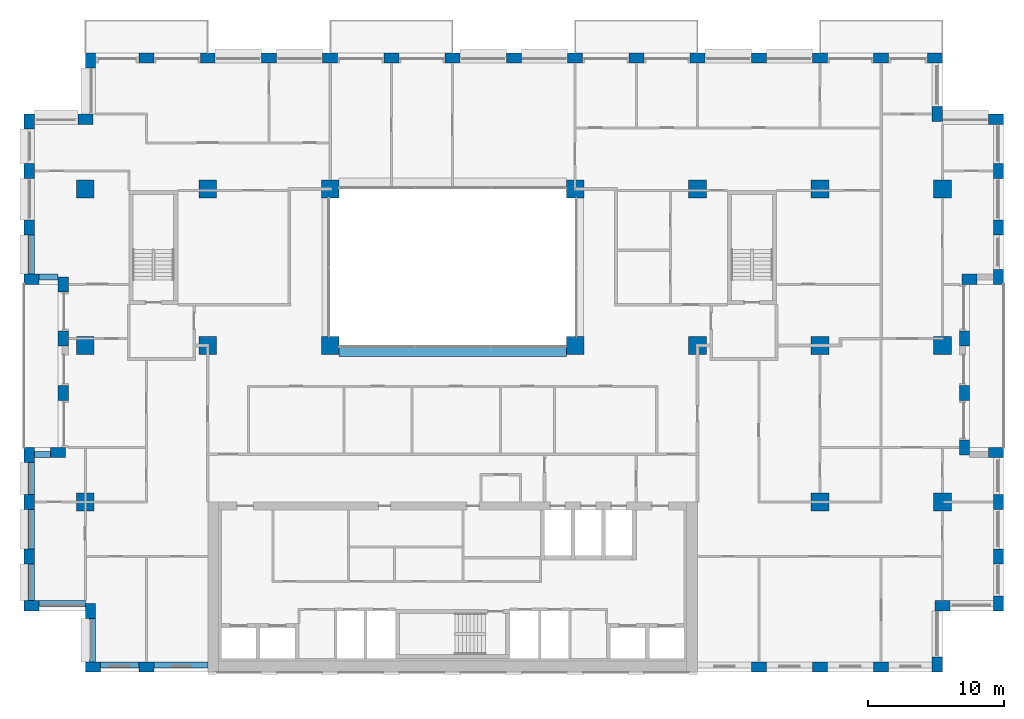
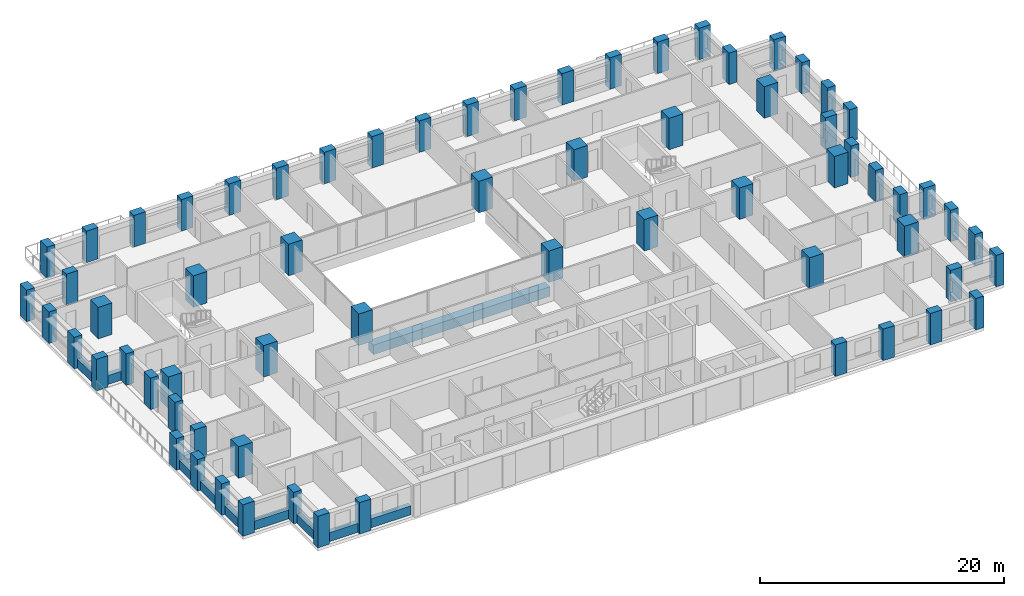
# One storey, part 1 of 16: 66 columns, 11 beams.
"""IFC4 building model written with IfcOpenShell, lengths in metres."""

from ifc_helpers import new_model, si_unit, direction, frame, origin, origin_2d, place, context, subcontext, project, spatial, rectangle, extrude, material, material_profile, profile_set, type_object, element, save


model = new_model("IFC4")

# Units and contexts
model_context = context("Model", 3, precision=1e-05, world=origin(), true_north=direction((0.0, 1.0)))
body_context = subcontext(model_context, "Body", "Model", "MODEL_VIEW")
ifc_project = project(units=[si_unit("LENGTHUNIT", "METRE"), si_unit("AREAUNIT", "SQUARE_METRE"), si_unit("VOLUMEUNIT", "CUBIC_METRE"), si_unit("PLANEANGLEUNIT", "RADIAN"), si_unit("MASSUNIT", "GRAM", prefix="KILO")], contexts=[model_context])

# Site, building, storey
site_placement = place(None, origin())
site = spatial("IfcSite", under=ifc_project, at=site_placement, CompositionType="ELEMENT")
building_placement = place(site_placement, origin())
building = spatial("IfcBuilding", under=site, at=building_placement, Name="Brigalow Station Residences", CompositionType="ELEMENT")
storey_placement = place(building_placement, frame((0.0, 0.0, 118.199951171875)))
storey = spatial("IfcBuildingStorey", under=building, at=storey_placement, Name="L34", CompositionType="ELEMENT", Elevation=118.199951171875)

# Columns
ifc_material_1 = material(Name="Concrete C65", Category="concrete")
ifc_material_profile_1 = material_profile(ifc_material_1, rectangle(XDim=1.300048828125, YDim=1.300048828125, at=origin_2d()), Name="RC1300x1300")
ifc_profile_set_1 = profile_set([ifc_material_profile_1], Name="Concrete C65")
column_type_1 = type_object("IfcColumnType", Name="COLUMN 1300x1300 C65", PredefinedType="COLUMN", material=ifc_profile_set_1)
for number, where, z_axis, x_axis, name in (
    (1, (9.0, 24.0, 0.0), (0.0, 0.0, 1.0), (1.0, 0.0, 0.0), "COLUMN C1 L34"),
    (2, (18.0, 24.0, 0.0), (0.0, 0.0, 1.0), (1.0, 0.0, 0.0), "COLUMN C2 L34"),
    (3, (27.0, 24.0, 0.0), (0.0, 0.0, 1.0), (1.0, 0.0, 0.0), "COLUMN C3 L34"),
    (4, (45.0, 24.0, 0.0), (0.0, 0.0, 1.0), (1.0, 0.0, 0.0), "COLUMN C5 L34"),
    (5, (54.0, 24.0, 0.0), (0.0, 0.0, 1.0), (1.0, 0.0, 0.0), "COLUMN C6 L34"),
    (6, (63.0, 24.0, 0.0), (0.0, 0.0, 1.0), (1.0, 0.0, 0.0), "COLUMN C7 L34"),
    (7, (72.0, 24.0, 0.0), (0.0, 0.0, 1.0), (1.0, 0.0, 0.0), "COLUMN C8 L34"),
    (8, (9.0, 35.5, 0.0), (0.0, 0.0, 1.0), (1.0, 0.0, 0.0), "COLUMN D1 L34"),
    (9, (18.0, 35.5, 0.0), (0.0, 0.0, 1.0), (1.0, 0.0, 0.0), "COLUMN D2 L34"),
    (10, (27.0, 35.5, 0.0), (0.0, 0.0, 1.0), (1.0, 0.0, 0.0), "COLUMN D3 L34"),
    (11, (45.0, 35.5, 0.0), (0.0, 0.0, 1.0), (1.0, 0.0, 0.0), "COLUMN D5 L34"),
    (12, (54.0, 35.5, 0.0), (0.0, 0.0, 1.0), (1.0, 0.0, 0.0), "COLUMN D6 L34"),
    (13, (63.0, 35.5, 0.0), (0.0, 0.0, 1.0), (1.0, 0.0, 0.0), "COLUMN D7 L34"),
    (14, (72.0, 35.5, 0.0), (0.0, 0.0, 1.0), (1.0, 0.0, 0.0), "COLUMN D8 L34"),
    (15, (9.0, 12.5, 0.0), (0.0, 0.0, 1.0), (1.0, 0.0, 0.0), "COLUMN B1 L34"),
    (16, (63.0, 12.5, 0.0), (0.0, 0.0, 1.0), (1.0, 0.0, 0.0), "COLUMN B7 L34"),
    (17, (72.0, 12.5, 0.0), (0.0, 0.0, 1.0), (1.0, 0.0, 0.0), "COLUMN B8 L34"),
):
    element("IfcColumn", number, at=place(storey_placement, frame(where, z_axis=z_axis, x_axis=x_axis)), inside=storey, type_object=column_type_1, Name=name, PredefinedType="COLUMN", context=body_context, shape_type="SweptSolid", body=[
        extrude(rectangle(XDim=1.300048828125, YDim=1.300048828125, at=origin_2d()), origin(), (0.0, 0.0, 1.0), 3.150146484375),
    ])
ifc_material_2 = material(Name="Concrete C65", Category="concrete")
ifc_material_profile_2 = material_profile(ifc_material_2, rectangle(XDim=1.10009765625, YDim=0.75, at=origin_2d()), Name="RC1100x750")
ifc_profile_set_2 = profile_set([ifc_material_profile_2], Name="Concrete C65")
column_type_2 = type_object("IfcColumnType", Name="PIER 1100x750 C65", PredefinedType="USERDEFINED", material=ifc_profile_set_2)
for number, where, z_axis, x_axis, name in (
    (18, (9.550048828125, 0.375, 0.0), (0.0, 0.0, 1.0), (1.0, 0.0, 0.0), "PIER S-1 L34"),
    (19, (13.5, 0.375, 0.0), (0.0, 0.0, 1.0), (1.0, 0.0, 0.0), "PIER S-2 L34"),
    (20, (58.5, 0.375, 0.0), (0.0, 0.0, 1.0), (1.0, 0.0, 0.0), "PIER S-12 L34"),
    (21, (63.0, 0.375, 0.0), (0.0, 0.0, 1.0), (1.0, 0.0, 0.0), "PIER S-13 L34"),
    (22, (67.5, 0.375, 0.0), (0.0, 0.0, 1.0), (1.0, 0.0, 0.0), "PIER S-14 L34"),
    (23, (71.625, 0.550048828125, 0.0), (0.0, 0.0, 1.0), (0.0, 1.0, 0.0), "PIER SE1-1 L34"),
    (24, (72.0, 4.875, 0.0), (0.0, 0.0, 1.0), (1.0, 0.0, 0.0), "PIER SE2-1 L34"),
    (25, (76.125, 5.050048828125, 0.0), (0.0, 0.0, 1.0), (0.0, 1.0, 0.0), "PIER E1-1 L34"),
    (26, (76.125, 8.5, 0.0), (0.0, 0.0, 1.0), (0.0, 1.0, 0.0), "PIER E1-2 L34"),
    (27, (76.125, 12.5, 0.0), (0.0, 0.0, 1.0), (0.0, 1.0, 0.0), "PIER E1-3 L34"),
    (28, (75.949951171875, 16.125, 0.0), (0.0, 0.0, 1.0), (-1.0, 0.0, 0.0), "PIER EL1-1 L34"),
    (29, (73.625, 16.5, 0.0), (0.0, 0.0, 1.0), (0.0, 1.0, 0.0), "PIER EL2-1 L34"),
    (30, (73.625, 20.5, 0.0), (0.0, 0.0, 1.0), (0.0, 1.0, 0.0), "PIER EL2-2 L34"),
    (31, (73.625, 24.5, 0.0), (0.0, 0.0, 1.0), (0.0, 1.0, 0.0), "PIER EL2-3 L34"),
    (32, (74.0, 28.875, 0.0), (0.0, 0.0, 1.0), (1.0, 0.0, 0.0), "PIER EL3-1 L34"),
    (33, (76.125, 29.050048828125, 0.0), (0.0, 0.0, 1.0), (0.0, 1.0, 0.0), "PIER E2-1 L34"),
    (34, (76.125, 32.6669921875, 0.0), (0.0, 0.0, 1.0), (0.0, 1.0, 0.0), "PIER E2-2 L34"),
    (35, (76.125, 36.8330078125, 0.0), (0.0, 0.0, 1.0), (0.0, 1.0, 0.0), "PIER E2-3 L34"),
    (36, (75.949951171875, 40.625, 0.0), (0.0, 0.0, 1.0), (-1.0, 0.0, 0.0), "PIER NE1-1 L34"),
    (37, (71.625, 41.0, 0.0), (0.0, 0.0, 1.0), (0.0, 1.0, 0.0), "PIER NE2-1 L34"),
    (38, (71.449951171875, 45.125, 0.0), (0.0, 0.0, 1.0), (-1.0, 0.0, 0.0), "PIER N-1 L34"),
    (39, (67.5, 45.125, 0.0), (0.0, 0.0, 1.0), (-1.0, 0.0, 0.0), "PIER N-2 L34"),
    (40, (63.0, 45.125, 0.0), (0.0, 0.0, 1.0), (-1.0, 0.0, 0.0), "PIER N-3 L34"),
    (41, (58.5, 45.125, 0.0), (0.0, 0.0, 1.0), (-1.0, 0.0, 0.0), "PIER N-4 L34"),
    (42, (54.0, 45.125, 0.0), (0.0, 0.0, 1.0), (-1.0, 0.0, 0.0), "PIER N-5 L34"),
    (43, (49.5, 45.125, 0.0), (0.0, 0.0, 1.0), (-1.0, 0.0, 0.0), "PIER N-6 L34"),
    (44, (45.0, 45.125, 0.0), (0.0, 0.0, 1.0), (-1.0, 0.0, 0.0), "PIER N-7 L34"),
    (45, (40.5, 45.125, 0.0), (0.0, 0.0, 1.0), (-1.0, 0.0, 0.0), "PIER N-8 L34"),
    (46, (36.0, 45.125, 0.0), (0.0, 0.0, 1.0), (-1.0, 0.0, 0.0), "PIER N-9 L34"),
    (47, (31.5, 45.125, 0.0), (0.0, 0.0, 1.0), (-1.0, 0.0, 0.0), "PIER N-10 L34"),
    (48, (27.0, 45.125, 0.0), (0.0, 0.0, 1.0), (-1.0, 0.0, 0.0), "PIER N-11 L34"),
    (49, (22.5, 45.125, 0.0), (0.0, 0.0, 1.0), (-1.0, 0.0, 0.0), "PIER N-12 L34"),
    (50, (18.0, 45.125, 0.0), (0.0, 0.0, 1.0), (-1.0, 0.0, 0.0), "PIER N-13 L34"),
    (51, (13.5, 45.125, 0.0), (0.0, 0.0, 1.0), (-1.0, 0.0, 0.0), "PIER N-14 L34"),
    (52, (9.375, 44.949951171875, 0.0), (0.0, 0.0, 1.0), (0.0, -1.0, 0.0), "PIER NW1-1 L34"),
    (53, (9.0, 40.625, 0.0), (0.0, 0.0, 1.0), (-1.0, 0.0, 0.0), "PIER NW2-1 L34"),
    (54, (4.875, 40.449951171875, 0.0), (0.0, 0.0, 1.0), (0.0, -1.0, 0.0), "PIER W2-1 L34"),
    (55, (4.875, 36.8330078125, 0.0), (0.0, 0.0, 1.0), (0.0, -1.0, 0.0), "PIER W2-2 L34"),
    (56, (4.875, 32.6669921875, 0.0), (0.0, 0.0, 1.0), (0.0, -1.0, 0.0), "PIER W2-3 L34"),
    (57, (5.050048828125, 28.875, 0.0), (0.0, 0.0, 1.0), (1.0, 0.0, 0.0), "PIER WL1-1 L34"),
    (58, (7.375, 28.5, 0.0), (0.0, 0.0, 1.0), (0.0, -1.0, 0.0), "PIER WL2-1 L34"),
    (59, (7.375, 24.5, 0.0), (0.0, 0.0, 1.0), (0.0, -1.0, 0.0), "PIER WL2-2 L34"),
    (60, (7.375, 20.5, 0.0), (0.0, 0.0, 1.0), (0.0, -1.0, 0.0), "PIER WL2-3 L34"),
    (61, (7.0, 16.125, 0.0), (0.0, 0.0, 1.0), (-1.0, 0.0, 0.0), "PIER WL3-1 L34"),
    (62, (4.875, 15.949951171875, 0.0), (0.0, 0.0, 1.0), (0.0, -1.0, 0.0), "PIER W1-1 L34"),
    (63, (4.875, 12.5, 0.0), (0.0, 0.0, 1.0), (0.0, -1.0, 0.0), "PIER W1-2 L34"),
    (64, (4.875, 8.5, 0.0), (0.0, 0.0, 1.0), (0.0, -1.0, 0.0), "PIER W1-3 L34"),
    (65, (5.050048828125, 4.875, 0.0), (0.0, 0.0, 1.0), (1.0, 0.0, 0.0), "PIER SW1-1 L34"),
    (66, (9.375, 4.5, 0.0), (0.0, 0.0, 1.0), (0.0, -1.0, 0.0), "PIER SW2-1 L34"),
):
    element("IfcColumn", number, at=place(storey_placement, frame(where, z_axis=z_axis, x_axis=x_axis)), inside=storey, type_object=column_type_2, Name=name, ObjectType="PIER", PredefinedType="USERDEFINED", context=body_context, shape_type="SweptSolid", body=[
        extrude(rectangle(XDim=1.10009765625, YDim=0.75, at=origin_2d()), origin(), (0.0, 0.0, 1.0), 3.150146484375),
    ])

# Beams
ifc_material_3 = material(Name="Concrete C65", Category="concrete")
ifc_material_profile_3 = material_profile(ifc_material_3, rectangle(XDim=0.800048828125, YDim=0.949951171875, at=origin_2d()), Name="RC800x950")
ifc_profile_set_3 = profile_set([ifc_material_profile_3], Name="Concrete C65")
beam_type_1 = type_object("IfcBeamType", Name="ATRIUM EDGE GIRDER OVER 13.5 M SPAN 800x950 C65", PredefinedType="BEAM", material=ifc_profile_set_3)
beam_1_placement = place(storey_placement, frame((27.64990234375, 23.60009765625, -0.794921875), z_axis=(1.0, 0.0, 0.0), x_axis=(0.0, 1.0, 0.0)))
element("IfcBeam", 67, at=beam_1_placement, inside=storey, type_object=beam_type_1, Name="ATRIUM EDGE GIRDER C L34", PredefinedType="BEAM", context=body_context, shape_type="SweptSolid", body=[
    extrude(rectangle(XDim=0.800048828125, YDim=0.949951171875, at=origin_2d()), origin(), (0.0, 0.0, 1.0), 16.7001953125),
])
ifc_material_4 = material(Name="Concrete C65", Category="concrete")
ifc_material_profile_4 = material_profile(ifc_material_4, rectangle(XDim=0.449951171875, YDim=0.89990234375, at=origin_2d()), Name="RC450x900")
ifc_profile_set_4 = profile_set([ifc_material_profile_4], Name="Concrete C65")
beam_type_2 = type_object("IfcBeamType", Name="SPANDREL BEAM 450x900 C65", PredefinedType="SPANDREL", material=ifc_profile_set_4)
beam_2_placement = place(storey_placement, frame((10.10009765625, 0.52490234375, 0.449951171875), z_axis=(1.0, 0.0, 0.0), x_axis=(0.0, 1.0, 0.0)))
element("IfcBeam", 68, at=beam_2_placement, inside=storey, type_object=beam_type_2, Name="L34/spandrel/W-L34-1", PredefinedType="SPANDREL", context=body_context, shape_type="SweptSolid", body=[
    extrude(rectangle(XDim=0.449951171875, YDim=0.89990234375, at=origin_2d()), origin(), (0.0, 0.0, 1.0), 2.849853515625),
])
beam_3_placement = place(storey_placement, frame((14.050048828125, 0.52490234375, 0.449951171875), z_axis=(1.0, 0.0, 0.0), x_axis=(0.0, 1.0, 0.0)))
element("IfcBeam", 69, at=beam_3_placement, inside=storey, type_object=beam_type_2, Name="L34/spandrel/W-L34-2", PredefinedType="SPANDREL", context=body_context, shape_type="SweptSolid", body=[
    extrude(rectangle(XDim=0.449951171875, YDim=0.89990234375, at=origin_2d()), origin(), (0.0, 0.0, 1.0), 3.949951171875),
])
beam_4_placement = place(storey_placement, frame((5.02490234375, 32.116943359375, 0.449951171875), z_axis=(0.0, -1.0, 0.0), x_axis=(1.0, 0.0, 0.0)))
element("IfcBeam", 70, at=beam_4_placement, inside=storey, type_object=beam_type_2, Name="L34/spandrel/W-L34-41", PredefinedType="SPANDREL", context=body_context, shape_type="SweptSolid", body=[
    extrude(rectangle(XDim=0.449951171875, YDim=0.89990234375, at=origin_2d()), origin(), (0.0, 0.0, 1.0), 2.866943359375),
])
beam_5_placement = place(storey_placement, frame((5.60009765625, 29.02490234375, 0.449951171875), z_axis=(1.0, 0.0, 0.0), x_axis=(0.0, 1.0, 0.0)))
element("IfcBeam", 71, at=beam_5_placement, inside=storey, type_object=beam_type_2, Name="L34/spandrel/W-L34-42", PredefinedType="SPANDREL", context=body_context, shape_type="SweptSolid", body=[
    extrude(rectangle(XDim=0.449951171875, YDim=0.89990234375, at=origin_2d()), origin(), (0.0, 0.0, 1.0), 1.39990234375),
])
beam_6_placement = place(storey_placement, frame((6.449951171875, 15.97509765625, 0.449951171875), z_axis=(-1.0, 0.0, 0.0), x_axis=(0.0, -1.0, 0.0)))
element("IfcBeam", 72, at=beam_6_placement, inside=storey, type_object=beam_type_2, Name="L34/spandrel/W-L34-46", PredefinedType="SPANDREL", context=body_context, shape_type="SweptSolid", body=[
    extrude(rectangle(XDim=0.449951171875, YDim=0.89990234375, at=origin_2d()), origin(), (0.0, 0.0, 1.0), 1.199951171875),
])
beam_7_placement = place(storey_placement, frame((5.02490234375, 15.39990234375, 0.449951171875), z_axis=(0.0, -1.0, 0.0), x_axis=(1.0, 0.0, 0.0)))
element("IfcBeam", 73, at=beam_7_placement, inside=storey, type_object=beam_type_2, Name="L34/spandrel/W-L34-47", PredefinedType="SPANDREL", context=body_context, shape_type="SweptSolid", body=[
    extrude(rectangle(XDim=0.449951171875, YDim=0.89990234375, at=origin_2d()), origin(), (0.0, 0.0, 1.0), 2.349853515625),
])
beam_8_placement = place(storey_placement, frame((5.02490234375, 11.949951171875, 0.449951171875), z_axis=(0.0, -1.0, 0.0), x_axis=(1.0, 0.0, 0.0)))
element("IfcBeam", 74, at=beam_8_placement, inside=storey, type_object=beam_type_2, Name="L34/spandrel/W-L34-48", PredefinedType="SPANDREL", context=body_context, shape_type="SweptSolid", body=[
    extrude(rectangle(XDim=0.449951171875, YDim=0.89990234375, at=origin_2d()), origin(), (0.0, 0.0, 1.0), 2.89990234375),
])
beam_9_placement = place(storey_placement, frame((5.02490234375, 7.949951171875, 0.449951171875), z_axis=(0.0, -1.0, 0.0), x_axis=(1.0, 0.0, 0.0)))
element("IfcBeam", 75, at=beam_9_placement, inside=storey, type_object=beam_type_2, Name="L34/spandrel/W-L34-49", PredefinedType="SPANDREL", context=body_context, shape_type="SweptSolid", body=[
    extrude(rectangle(XDim=0.449951171875, YDim=0.89990234375, at=origin_2d()), origin(), (0.0, 0.0, 1.0), 2.699951171875),
])
beam_10_placement = place(storey_placement, frame((5.60009765625, 5.02490234375, 0.449951171875), z_axis=(1.0, 0.0, 0.0), x_axis=(0.0, 1.0, 0.0)))
element("IfcBeam", 76, at=beam_10_placement, inside=storey, type_object=beam_type_2, Name="L34/spandrel/W-L34-50", PredefinedType="SPANDREL", context=body_context, shape_type="SweptSolid", body=[
    extrude(rectangle(XDim=0.449951171875, YDim=0.89990234375, at=origin_2d()), origin(), (0.0, 0.0, 1.0), 3.39990234375),
])
beam_11_placement = place(storey_placement, frame((9.52490234375, 3.949951171875, 0.449951171875), z_axis=(0.0, -1.0, 0.0), x_axis=(1.0, 0.0, 0.0)))
element("IfcBeam", 77, at=beam_11_placement, inside=storey, type_object=beam_type_2, Name="L34/spandrel/W-L34-51", PredefinedType="SPANDREL", context=body_context, shape_type="SweptSolid", body=[
    extrude(rectangle(XDim=0.449951171875, YDim=0.89990234375, at=origin_2d()), origin(), (0.0, 0.0, 1.0), 3.199951171875),
])

save(model, "model.ifc")
